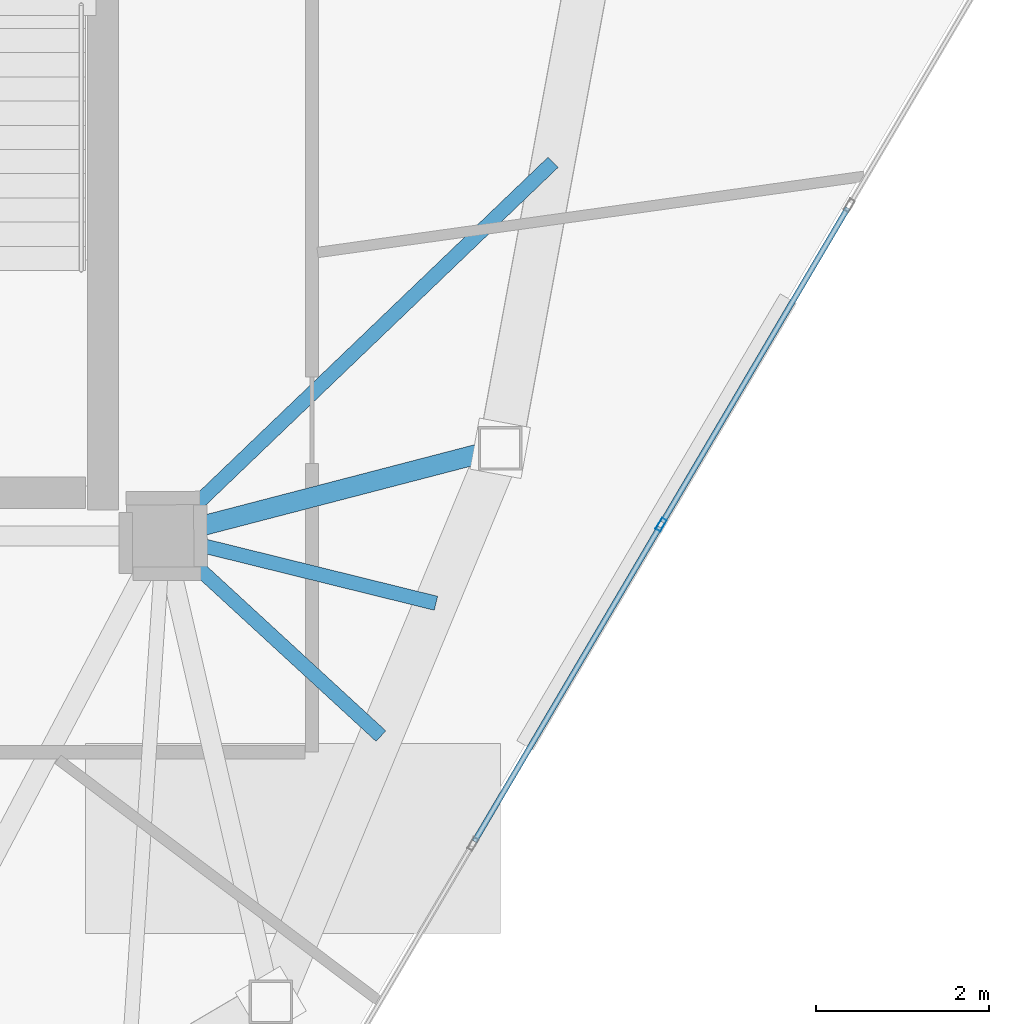
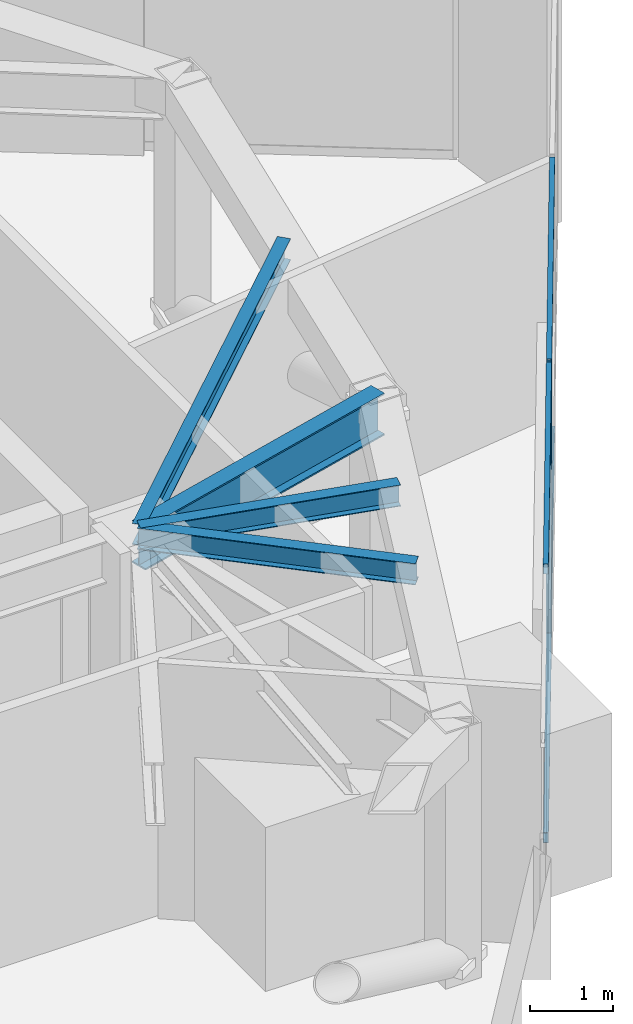
# One storey, part 7 of 19: 5 members, 4 beams, 1 element without a shape of its own.
"""IFC4 building model written with IfcOpenShell, lengths in metres."""

import ifcopenshell
import ifcopenshell.guid

model = None  # the IFC model being written
_history = None  # IfcOwnerHistory: only IFC2X3 demands one
_inside = {}  # id of a spatial element -> (the spatial element, [elements in it])
_under = {}  # id of a project, library or spatial element -> (it, [spatial elements below it])
_declared = {}  # id of a project -> (the project, [libraries it declares])
_typed = {}  # id of a type object -> (the type object, [elements of that type])
_made_of = {}  # id of a material, layer set ... -> (it, [elements and type objects made of it])


def new_model(schema):
    """Start an empty IFC model of exactly this schema.

    Asked for "IFC4X3", IfcOpenShell would pick the latest addendum, in which some entities
    have other attributes; the version numbers below select the first issue.
    IFC2X3 requires an IfcOwnerHistory on every rooted entity: one is made here for all.
    """
    global model, _history
    if schema == "IFC4X3":
        model = ifcopenshell.file(schema_version=(4, 3, 0, 0))
    else:
        model = ifcopenshell.file(schema=schema)
    _inside.clear()
    _under.clear()
    _declared.clear()
    _typed.clear()
    _made_of.clear()
    _history = None
    if model.schema == "IFC2X3":
        org = make("IfcOrganization", Name="unknown")
        user = make(
            "IfcPersonAndOrganization",
            ThePerson=make("IfcPerson", FamilyName="unknown"),
            TheOrganization=org,
        )
        app = make(
            "IfcApplication",
            ApplicationDeveloper=org,
            Version="unknown",
            ApplicationFullName="unknown",
            ApplicationIdentifier="unknown",
        )
        _history = make(
            "IfcOwnerHistory",
            OwningUser=user,
            OwningApplication=app,
            ChangeAction="ADDED",
            CreationDate=0,
        )
    return model


def make(cls, **values):
    """One entity of the class cls with the attributes given. An attribute that is None is left unset."""
    return model.create_entity(
        cls, **{name: value for name, value in values.items() if value is not None}
    )


def rooted(cls, **values):
    """An entity with a GlobalId (a new one), such as an element, a storey or a relation."""
    return make(cls, GlobalId=ifcopenshell.guid.new(), OwnerHistory=_history, **values)


def si_unit(unit_type, name, prefix=None):
    """IfcSIUnit, for example si_unit("LENGTHUNIT", "METRE", prefix="MILLI")."""
    return make("IfcSIUnit", UnitType=unit_type, Prefix=prefix, Name=name)


def assignment(units):
    """IfcUnitAssignment: the units of a project."""
    return None if units is None else make("IfcUnitAssignment", Units=units)


def point(xyz):
    """IfcCartesianPoint."""
    return None if xyz is None else make("IfcCartesianPoint", Coordinates=xyz)


def direction(xyz):
    """IfcDirection."""
    return None if xyz is None else make("IfcDirection", DirectionRatios=xyz)


def frame(location, z_axis=None, x_axis=None):
    """IfcAxis2Placement3D, a coordinate frame: its origin and axes. An axis left out is left unset."""
    return make(
        "IfcAxis2Placement3D",
        Location=point(location),
        Axis=direction(z_axis),
        RefDirection=direction(x_axis),
    )


def frame_2d(location, x_axis=None):
    """IfcAxis2Placement2D, a coordinate frame in the plane: its origin and x axis."""
    return make(
        "IfcAxis2Placement2D", Location=point(location), RefDirection=direction(x_axis)
    )


def origin():
    """The frame at (0, 0, 0) with its axes left unset."""
    return frame((0.0, 0.0, 0.0))


def origin_2d():
    """The frame at (0, 0) in the plane with its x axis left unset."""
    return frame_2d((0.0, 0.0))


def place(relative_to, where):
    """IfcLocalPlacement: puts the frame where relative to a parent placement (None: the world)."""
    return make(
        "IfcLocalPlacement", PlacementRelTo=relative_to, RelativePlacement=where
    )


def context(
    kind, dimensions, precision=None, world=None, true_north=None, identifier=None
):
    """IfcGeometricRepresentationContext, for example the 3D "Model" context."""
    return make(
        "IfcGeometricRepresentationContext",
        ContextIdentifier=identifier,
        ContextType=kind,
        CoordinateSpaceDimension=dimensions,
        Precision=precision,
        WorldCoordinateSystem=world,
        TrueNorth=true_north,
    )


def subcontext(parent, identifier, kind, view, scale=None):
    """IfcGeometricRepresentationSubContext, for example "Body" below "Model"."""
    return make(
        "IfcGeometricRepresentationSubContext",
        ContextIdentifier=identifier,
        ContextType=kind,
        ParentContext=parent,
        TargetScale=scale,
        TargetView=view,
    )


def project(units=None, contexts=None):
    """IfcProject with its units and contexts."""
    return rooted(
        "IfcProject",
        Name="project",
        RepresentationContexts=contexts,
        UnitsInContext=assignment(units),
    )


def spatial(cls, under=None, at=None, **own):
    """A site, building, storey or space (cls), placed at a placement, below another one or the project."""
    s = rooted(cls, ObjectPlacement=at, **own)
    if under is not None:
        _under.setdefault(under.id(), (under, []))[1].append(s)
    return s


def profile(cls, at=None, kind="AREA", **sizes):
    """A parametric profile (cls). Its sizes go by their IFC names, for example OverallWidth=200.0."""
    return make(cls, ProfileType=kind, Position=at, **sizes)


def hollow_rectangle(**sizes):
    """IfcRectangleHollowProfileDef."""
    return profile("IfcRectangleHollowProfileDef", **sizes)


def i_section(**sizes):
    """IfcIShapeProfileDef."""
    return profile("IfcIShapeProfileDef", **sizes)


def extrude(swept, where, along, depth):
    """IfcExtrudedAreaSolid: the profile swept, set in the frame where, extruded along a direction by depth."""
    return make(
        "IfcExtrudedAreaSolid",
        SweptArea=swept,
        Position=where,
        ExtrudedDirection=direction(along),
        Depth=depth,
    )


def shape(context_of_items, identifier, shape_type, items):
    """IfcShapeRepresentation: the items that make up one representation, for example the "Body"."""
    return make(
        "IfcShapeRepresentation",
        ContextOfItems=context_of_items,
        RepresentationIdentifier=identifier,
        RepresentationType=shape_type,
        Items=items,
    )


def source(mapping_origin, context_of_items, identifier, shape_type, items):
    """IfcRepresentationMap: a shape defined once, which mapped items show again and again."""
    return make(
        "IfcRepresentationMap",
        MappingOrigin=mapping_origin,
        MappedRepresentation=shape(context_of_items, identifier, shape_type, items),
    )


def transform(
    local_origin,
    x_axis=None,
    y_axis=None,
    z_axis=None,
    scale=None,
    scale2=None,
    scale3=None,
    uniform=True,
):
    """IfcCartesianTransformationOperator3D, or its non-uniform kind. x_axis, y_axis, z_axis: its Axis1, 2, 3."""
    if uniform:
        return make(
            "IfcCartesianTransformationOperator3D",
            Axis1=direction(x_axis),
            Axis2=direction(y_axis),
            LocalOrigin=point(local_origin),
            Scale=scale,
            Axis3=direction(z_axis),
        )
    return make(
        "IfcCartesianTransformationOperator3DnonUniform",
        Axis1=direction(x_axis),
        Axis2=direction(y_axis),
        LocalOrigin=point(local_origin),
        Scale=scale,
        Axis3=direction(z_axis),
        Scale2=scale2,
        Scale3=scale3,
    )


def mapped(mapping_source, mapping_target):
    """IfcMappedItem: shows the shape of a source again, moved by a transform."""
    return make(
        "IfcMappedItem", MappingSource=mapping_source, MappingTarget=mapping_target
    )


def material(Name=None, Category=None):
    """IfcMaterial."""
    return make("IfcMaterial", Name=Name, Category=Category)


def layer(
    of_material, thickness, ventilated=None, Name=None, Category=None, Priority=None
):
    """IfcMaterialLayer: one layer of a wall or slab, of a material (None: an air gap)."""
    return make(
        "IfcMaterialLayer",
        Material=of_material,
        LayerThickness=thickness,
        IsVentilated=ventilated,
        Name=Name,
        Category=Category,
        Priority=Priority,
    )


def layer_set(layers, Name=None):
    """IfcMaterialLayerSet."""
    return make("IfcMaterialLayerSet", MaterialLayers=layers, LayerSetName=Name)


def material_profile(
    of_material, cross_section, Name=None, Category=None, Priority=None
):
    """IfcMaterialProfile: a cross section and its material."""
    return make(
        "IfcMaterialProfile",
        Name=Name,
        Material=of_material,
        Profile=cross_section,
        Priority=Priority,
        Category=Category,
    )


def profile_set(profiles, Name=None, composite=None):
    """IfcMaterialProfileSet."""
    return make(
        "IfcMaterialProfileSet",
        Name=Name,
        MaterialProfiles=profiles,
        CompositeProfile=composite,
    )


def made_of(thing, what):
    """Note that an element or type object is made of a material, layer set ...; save() writes the relation."""
    if what is not None:
        _made_of.setdefault(what.id(), (what, []))[1].append(thing)
    return thing


def type_object(cls, material=None, **own):
    """A type object (cls), such as IfcWallType, which elements share."""
    return made_of(rooted(cls, **own), material)


def type_shapes(of_type, sources):
    """Give a type object the sources (RepresentationMaps) that its elements show as mapped items."""
    of_type.RepresentationMaps = sources


def element(
    cls,
    number,
    at=None,
    inside=None,
    cuts=None,
    type_object=None,
    material=None,
    context=None,
    identifier="Body",
    shape_type=None,
    held_by="IfcProductDefinitionShape",
    body=None,
    shapes=None,
    **own,
):
    """One element of the class cls, such as IfcWall. Its Tag is "e" and its number.

    at: its placement. inside: the storey or other place that contains it. cuts: it is an
    opening in that element (IfcRelVoidsElement). A single representation is given by context,
    identifier, shape_type and body (its items); several are given by shapes. held_by: the class
    of the entity that holds the representations. save() writes the other relations.
    """
    e = rooted(cls, Tag="e%d" % number, ObjectPlacement=at, **own)
    if body is not None:
        shapes = [shape(context, identifier, shape_type, body)]
    if shapes is not None:
        e.Representation = make(held_by, Representations=shapes)
    if inside is not None:
        _inside.setdefault(inside.id(), (inside, []))[1].append(e)
    if cuts is not None:
        rooted(
            "IfcRelVoidsElement", RelatingBuildingElement=cuts, RelatedOpeningElement=e
        )
    if type_object is not None:
        _typed.setdefault(type_object.id(), (type_object, []))[1].append(e)
    return made_of(e, material)


def aggregate(whole, parts):
    """IfcRelAggregates: a whole, such as a stair, and the parts it consists of."""
    return rooted("IfcRelAggregates", RelatingObject=whole, RelatedObjects=parts)


def save(model, path):
    """Write the relations noted so far, then the file.

    IfcRelAggregates (storeys below a building ...), IfcRelContainedInSpatialStructure (elements
    in a storey), IfcRelDefinesByType, IfcRelAssociatesMaterial and IfcRelDeclares: one each for
    every whole, place, type object, material and project.
    """
    for whole, parts in _under.values():
        aggregate(whole, parts)
    for where, things in _inside.values():
        rooted(
            "IfcRelContainedInSpatialStructure",
            RelatedElements=things,
            RelatingStructure=where,
        )
    for kind, things in _typed.values():
        rooted("IfcRelDefinesByType", RelatedObjects=things, RelatingType=kind)
    for what, things in _made_of.values():
        rooted("IfcRelAssociatesMaterial", RelatedObjects=things, RelatingMaterial=what)
    for by, libraries in _declared.values():
        rooted("IfcRelDeclares", RelatingContext=by, RelatedDefinitions=libraries)
    model.write(path)


model = new_model("IFC4")

# Units and contexts
model_context = context("Model", 3, precision=1e-05, world=origin(), true_north=direction((0.0, 1.0)))
body_context = subcontext(model_context, "Body", "Model", "MODEL_VIEW")
ifc_project = project(units=[si_unit("LENGTHUNIT", "METRE"), si_unit("AREAUNIT", "SQUARE_METRE"), si_unit("VOLUMEUNIT", "CUBIC_METRE"), si_unit("PLANEANGLEUNIT", "RADIAN"), si_unit("MASSUNIT", "GRAM", prefix="KILO")], contexts=[model_context])

# Site, building, storey
site_placement = place(None, origin())
site = spatial("IfcSite", under=ifc_project, at=site_placement, CompositionType="ELEMENT")
building_placement = place(site_placement, origin())
building = spatial("IfcBuilding", under=site, at=building_placement, Name="Talar Marvaseh", CompositionType="ELEMENT")
storey_placement = place(building_placement, frame((0.0, 0.0, 296.0)))
storey = spatial("IfcBuildingStorey", under=building, at=storey_placement, Name="L79", CompositionType="ELEMENT", Elevation=296.0)

# Beams
ifc_material_1 = material(Name="Steel S355", Category="steel")
ifc_material_profile_1 = material_profile(ifc_material_1, i_section(OverallWidth=0.166015625, OverallDepth=0.31298828125, WebThickness=0.006591796875, FlangeThickness=0.01123046875, at=origin_2d()), Name="W310x45")
ifc_profile_set_1 = profile_set([ifc_material_profile_1], Name="Steel S355")
beam_type_1 = type_object("IfcBeamType", Name="Zone 3 Secondary Floor Joist W310x45", PredefinedType="JOIST", material=ifc_profile_set_1)
beam_1_placement = place(storey_placement, frame((37.80859375, 29.822265625, 3.58349609375), z_axis=(-0.721862081493, -0.692036946486, 0.0), x_axis=(0.692036946486, -0.721862081493, 0.0)))
element("IfcBeam", 1, at=beam_1_placement, inside=storey, type_object=beam_type_1, Name="L79 Zone 3 Secondary Floor Joist W310x45", PredefinedType="JOIST", context=body_context, shape_type="SweptSolid", body=[
    extrude(i_section(OverallWidth=0.166015625, OverallDepth=0.31298828125, WebThickness=0.006591796875, FlangeThickness=0.01123046875, at=origin_2d()), origin(), (0.0, 0.0, 1.0), 6.24560546875),
])
beam_2_placement = place(storey_placement, frame((36.4541015625, 24.72119140625, 3.58349609375), z_axis=(-0.970841284349, 0.239723174942, 0.0), x_axis=(-0.239723174942, -0.970841284349, 0.0)))
element("IfcBeam", 2, at=beam_2_placement, inside=storey, type_object=beam_type_1, Name="L79 Zone 3 Secondary Floor Joist W310x45", PredefinedType="JOIST", context=body_context, shape_type="SweptSolid", body=[
    extrude(i_section(OverallWidth=0.166015625, OverallDepth=0.31298828125, WebThickness=0.006591796875, FlangeThickness=0.01123046875, at=origin_2d()), origin(), (0.0, 0.0, 1.0), 3.248779296875),
])
beam_3_placement = place(storey_placement, frame((35.8173828125, 23.184326171875, 3.58349609375), z_axis=(-0.735970843201, 0.677013233223, 0.0), x_axis=(-0.677013233223, -0.735970843201, 0.0)))
element("IfcBeam", 3, at=beam_3_placement, inside=storey, type_object=beam_type_1, Name="L79 Zone 3 Secondary Floor Joist W310x45", PredefinedType="JOIST", context=body_context, shape_type="SweptSolid", body=[
    extrude(i_section(OverallWidth=0.166015625, OverallDepth=0.31298828125, WebThickness=0.006591796875, FlangeThickness=0.01123046875, at=origin_2d()), origin(), (0.0, 0.0, 1.0), 3.42041015625),
])
ifc_material_profile_2 = material_profile(ifc_material_1, i_section(OverallWidth=0.22998046875, OverallDepth=0.616943359375, WebThickness=0.01318359375, FlangeThickness=0.022216796875, at=origin_2d()), Name="W610x140")
ifc_profile_set_2 = profile_set([ifc_material_profile_2], Name="Steel S355")
beam_type_2 = type_object("IfcBeamType", Name="Zone 4 Radial Floor Girder W610x140", PredefinedType="BEAM", material=ifc_profile_set_2)
beam_4_placement = place(storey_placement, frame((37.197021484375, 26.513916015625, 3.431396484375), z_axis=(-0.967779967746, -0.251797406719, 0.0), x_axis=(0.251797406719, -0.967779967746, 0.0)))
element("IfcBeam", 4, at=beam_4_placement, inside=storey, type_object=beam_type_2, Name="L79 Zone 4 Radial Floor Girder W610x140", PredefinedType="BEAM", context=body_context, shape_type="SweptSolid", body=[
    extrude(i_section(OverallWidth=0.22998046875, OverallDepth=0.616943359375, WebThickness=0.01318359375, FlangeThickness=0.022216796875, at=origin_2d()), origin(), (0.0, 0.0, 1.0), 4.026611328125),
])

# Curtain wall, members
ifc_material_2 = material(Name="Architectural Aluminium", Category="aluminium")
ifc_layer = layer(ifc_material_2, 0.2099609375)
ifc_layer_set = layer_set([ifc_layer], Name="Architectural Aluminium")
curtain_wall_type = type_object("IfcCurtainWallType", Name="Crown Plant Acoustic Spandrel Curtain Wall", PredefinedType="NOTDEFINED", material=ifc_layer_set)
curtain_wall_placement = place(storey_placement, origin())
curtain_wall = element("IfcCurtainWall", 5, at=curtain_wall_placement, inside=storey, type_object=curtain_wall_type, Name="L79 Crown Plant Acoustic Spandrel Curtain Wall", PredefinedType="NOTDEFINED")
ifc_material_profile_3 = material_profile(ifc_material_2, hollow_rectangle(XDim=0.06494140625, YDim=0.14990234375, WallThickness=0.00390625, at=origin_2d()), Name="RHS150x65x4")
ifc_profile_set_3 = profile_set([ifc_material_profile_3], Name="Architectural Aluminium")
member_type_1 = type_object("IfcMemberType", Name="Unitised Curtain Wall Slim Transom RHS150x65x4", PredefinedType="USERDEFINED", material=ifc_profile_set_3)
shared_shape_1 = source(origin(), body_context, "Body", "SweptSolid", [
    extrude(hollow_rectangle(XDim=0.06494140625, YDim=0.14990234375, WallThickness=0.00390625, at=origin_2d()), origin(), (0.0, 0.0, 1.0), 4.220947265625),
])
type_shapes(member_type_1, [shared_shape_1])
member_1_placement = place(storey_placement, frame((41.21826171875, 29.295654296875, 0.032470703125), z_axis=(-0.507649376448, -0.861563758866, 0.0), x_axis=(0.861563758866, -0.507649376448, 0.0)))
member_1 = element("IfcMember", 6, at=member_1_placement, type_object=member_type_1, Name="CW-CRN transom 2.1", ObjectType="TRANSOM", PredefinedType="USERDEFINED", context=body_context, shape_type="MappedRepresentation", body=[
    mapped(shared_shape_1, transform((0.0, 0.0, 0.0), x_axis=(1.0, 0.0, 0.0), y_axis=(0.0, 1.0, 0.0), z_axis=(0.0, 0.0, 1.0), scale=1.0)),
])
member_2_placement = place(storey_placement, frame((41.21826171875, 29.295654296875, 3.967529296875), z_axis=(-0.507649376448, -0.861563758866, 0.0), x_axis=(0.861563758866, -0.507649376448, 0.0)))
member_2 = element("IfcMember", 7, at=member_2_placement, type_object=member_type_1, Name="CW-CRN transom 2.2", ObjectType="TRANSOM", PredefinedType="USERDEFINED", context=body_context, shape_type="MappedRepresentation", body=[
    mapped(shared_shape_1, transform((0.0, 0.0, 0.0), x_axis=(1.0, 0.0, 0.0), y_axis=(0.0, 1.0, 0.0), z_axis=(0.0, 0.0, 1.0), scale=1.0)),
])
member_3_placement = place(storey_placement, frame((39.042236328125, 25.602783203125, 0.032470703125), z_axis=(-0.507649376448, -0.861563758866, 0.0), x_axis=(0.861563758866, -0.507649376448, 0.0)))
member_3 = element("IfcMember", 8, at=member_3_placement, type_object=member_type_1, Name="CW-CRN transom 3.1", ObjectType="TRANSOM", PredefinedType="USERDEFINED", context=body_context, shape_type="MappedRepresentation", body=[
    mapped(shared_shape_1, transform((0.0, 0.0, 0.0), x_axis=(1.0, 0.0, 0.0), y_axis=(0.0, 1.0, 0.0), z_axis=(0.0, 0.0, 1.0), scale=1.0)),
])
member_4_placement = place(storey_placement, frame((39.042236328125, 25.602783203125, 3.967529296875), z_axis=(-0.507649376448, -0.861563758866, 0.0), x_axis=(0.861563758866, -0.507649376448, 0.0)))
member_4 = element("IfcMember", 9, at=member_4_placement, type_object=member_type_1, Name="CW-CRN transom 3.2", ObjectType="TRANSOM", PredefinedType="USERDEFINED", context=body_context, shape_type="MappedRepresentation", body=[
    mapped(shared_shape_1, transform((0.0, 0.0, 0.0), x_axis=(1.0, 0.0, 0.0), y_axis=(0.0, 1.0, 0.0), z_axis=(0.0, 0.0, 1.0), scale=1.0)),
])
ifc_material_profile_4 = material_profile(ifc_material_2, hollow_rectangle(XDim=0.06494140625, YDim=0.14990234375, WallThickness=0.00390625, at=origin_2d()), Name="RHS150x65x4")
ifc_profile_set_4 = profile_set([ifc_material_profile_4], Name="Architectural Aluminium")
member_type_2 = type_object("IfcMemberType", Name="Unitised Curtain Wall Slim Mullion RHS150x65x4", PredefinedType="MULLION", material=ifc_profile_set_4)
shared_shape_2 = source(origin(), body_context, "Body", "SweptSolid", [
    extrude(hollow_rectangle(XDim=0.06494140625, YDim=0.14990234375, WallThickness=0.00390625, at=origin_2d()), origin(), (0.0, 0.0, 1.0), 4.0),
])
type_shapes(member_type_2, [shared_shape_2])
member_5_placement = place(storey_placement, frame((39.058837890625, 25.630859375, 0.0), z_axis=(0.0, 0.0, 1.0), x_axis=(0.861550579207, -0.507671743815, 0.0)))
member_5 = element("IfcMember", 10, at=member_5_placement, type_object=member_type_2, Name="CW-CRN mullion 3", PredefinedType="MULLION", context=body_context, shape_type="MappedRepresentation", body=[
    mapped(shared_shape_2, transform((0.0, 0.0, 0.0), x_axis=(1.0, 0.0, 0.0), y_axis=(0.0, 1.0, 0.0), z_axis=(0.0, 0.0, 1.0), scale=1.0)),
])
aggregate(curtain_wall, [member_5, member_1, member_2, member_3, member_4])

save(model, "model.ifc")
